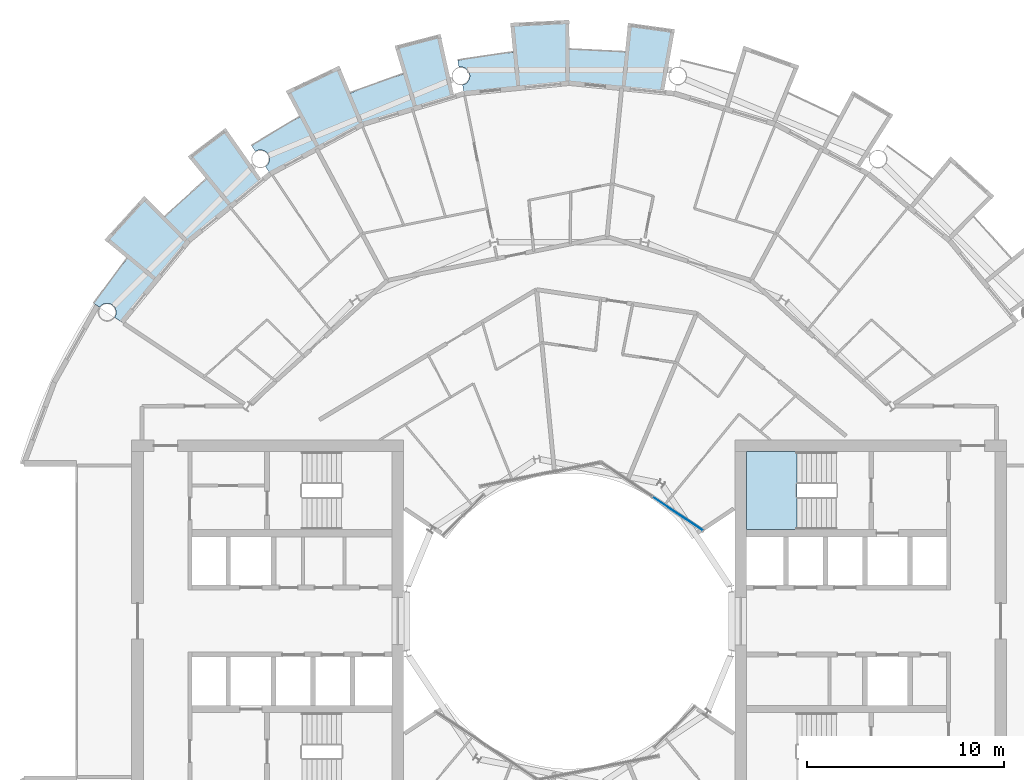
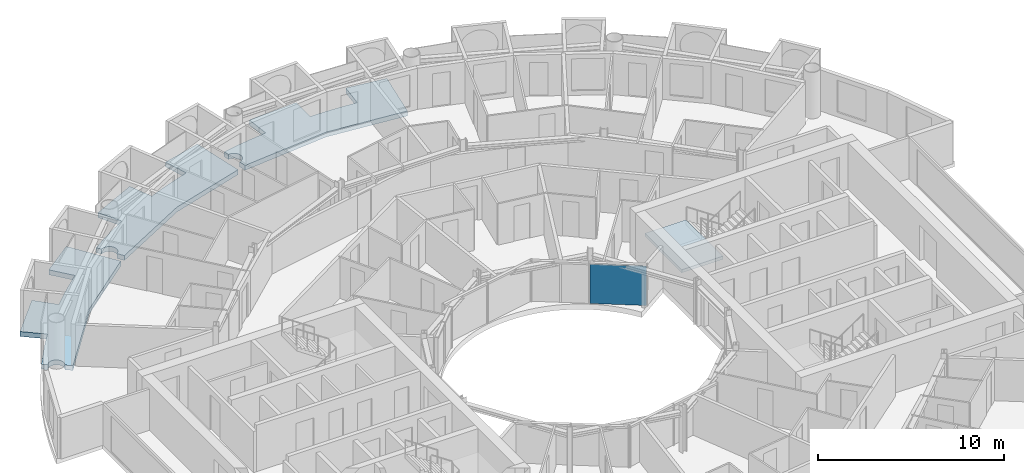
# One storey, part 12 of 28: 4 slabs, 1 plate, 2 elements without a shape of their own.
"""IFC4 building model written with IfcOpenShell, lengths in metres."""

import ifcopenshell
import ifcopenshell.guid

model = None  # the IFC model being written
_history = None  # IfcOwnerHistory: only IFC2X3 demands one
_inside = {}  # id of a spatial element -> (the spatial element, [elements in it])
_under = {}  # id of a project, library or spatial element -> (it, [spatial elements below it])
_declared = {}  # id of a project -> (the project, [libraries it declares])
_typed = {}  # id of a type object -> (the type object, [elements of that type])
_made_of = {}  # id of a material, layer set ... -> (it, [elements and type objects made of it])


def new_model(schema):
    """Start an empty IFC model of exactly this schema.

    Asked for "IFC4X3", IfcOpenShell would pick the latest addendum, in which some entities
    have other attributes; the version numbers below select the first issue.
    IFC2X3 requires an IfcOwnerHistory on every rooted entity: one is made here for all.
    """
    global model, _history
    if schema == "IFC4X3":
        model = ifcopenshell.file(schema_version=(4, 3, 0, 0))
    else:
        model = ifcopenshell.file(schema=schema)
    _inside.clear()
    _under.clear()
    _declared.clear()
    _typed.clear()
    _made_of.clear()
    _history = None
    if model.schema == "IFC2X3":
        org = make("IfcOrganization", Name="unknown")
        user = make(
            "IfcPersonAndOrganization",
            ThePerson=make("IfcPerson", FamilyName="unknown"),
            TheOrganization=org,
        )
        app = make(
            "IfcApplication",
            ApplicationDeveloper=org,
            Version="unknown",
            ApplicationFullName="unknown",
            ApplicationIdentifier="unknown",
        )
        _history = make(
            "IfcOwnerHistory",
            OwningUser=user,
            OwningApplication=app,
            ChangeAction="ADDED",
            CreationDate=0,
        )
    return model


def make(cls, **values):
    """One entity of the class cls with the attributes given. An attribute that is None is left unset."""
    return model.create_entity(
        cls, **{name: value for name, value in values.items() if value is not None}
    )


def rooted(cls, **values):
    """An entity with a GlobalId (a new one), such as an element, a storey or a relation."""
    return make(cls, GlobalId=ifcopenshell.guid.new(), OwnerHistory=_history, **values)


def si_unit(unit_type, name, prefix=None):
    """IfcSIUnit, for example si_unit("LENGTHUNIT", "METRE", prefix="MILLI")."""
    return make("IfcSIUnit", UnitType=unit_type, Prefix=prefix, Name=name)


def assignment(units):
    """IfcUnitAssignment: the units of a project."""
    return None if units is None else make("IfcUnitAssignment", Units=units)


def point(xyz):
    """IfcCartesianPoint."""
    return None if xyz is None else make("IfcCartesianPoint", Coordinates=xyz)


def direction(xyz):
    """IfcDirection."""
    return None if xyz is None else make("IfcDirection", DirectionRatios=xyz)


def frame(location, z_axis=None, x_axis=None):
    """IfcAxis2Placement3D, a coordinate frame: its origin and axes. An axis left out is left unset."""
    return make(
        "IfcAxis2Placement3D",
        Location=point(location),
        Axis=direction(z_axis),
        RefDirection=direction(x_axis),
    )


def frame_2d(location, x_axis=None):
    """IfcAxis2Placement2D, a coordinate frame in the plane: its origin and x axis."""
    return make(
        "IfcAxis2Placement2D", Location=point(location), RefDirection=direction(x_axis)
    )


def origin():
    """The frame at (0, 0, 0) with its axes left unset."""
    return frame((0.0, 0.0, 0.0))


def origin_2d():
    """The frame at (0, 0) in the plane with its x axis left unset."""
    return frame_2d((0.0, 0.0))


def place(relative_to, where):
    """IfcLocalPlacement: puts the frame where relative to a parent placement (None: the world)."""
    return make(
        "IfcLocalPlacement", PlacementRelTo=relative_to, RelativePlacement=where
    )


def context(
    kind, dimensions, precision=None, world=None, true_north=None, identifier=None
):
    """IfcGeometricRepresentationContext, for example the 3D "Model" context."""
    return make(
        "IfcGeometricRepresentationContext",
        ContextIdentifier=identifier,
        ContextType=kind,
        CoordinateSpaceDimension=dimensions,
        Precision=precision,
        WorldCoordinateSystem=world,
        TrueNorth=true_north,
    )


def subcontext(parent, identifier, kind, view, scale=None):
    """IfcGeometricRepresentationSubContext, for example "Body" below "Model"."""
    return make(
        "IfcGeometricRepresentationSubContext",
        ContextIdentifier=identifier,
        ContextType=kind,
        ParentContext=parent,
        TargetScale=scale,
        TargetView=view,
    )


def project(units=None, contexts=None):
    """IfcProject with its units and contexts."""
    return rooted(
        "IfcProject",
        Name="project",
        RepresentationContexts=contexts,
        UnitsInContext=assignment(units),
    )


def spatial(cls, under=None, at=None, **own):
    """A site, building, storey or space (cls), placed at a placement, below another one or the project."""
    s = rooted(cls, ObjectPlacement=at, **own)
    if under is not None:
        _under.setdefault(under.id(), (under, []))[1].append(s)
    return s


def polyline(points):
    """IfcPolyline through the points."""
    return make("IfcPolyline", Points=[point(p) for p in points])


def profile(cls, at=None, kind="AREA", **sizes):
    """A parametric profile (cls). Its sizes go by their IFC names, for example OverallWidth=200.0."""
    return make(cls, ProfileType=kind, Position=at, **sizes)


def rectangle(**sizes):
    """IfcRectangleProfileDef."""
    return profile("IfcRectangleProfileDef", **sizes)


def outline(outer, holes=None, kind="AREA"):
    """IfcArbitraryClosedProfileDef: a profile drawn as a closed curve; with holes, ...WithVoids."""
    if holes is None:
        return make("IfcArbitraryClosedProfileDef", ProfileType=kind, OuterCurve=outer)
    return make(
        "IfcArbitraryProfileDefWithVoids",
        ProfileType=kind,
        OuterCurve=outer,
        InnerCurves=holes,
    )


def extrude(swept, where, along, depth):
    """IfcExtrudedAreaSolid: the profile swept, set in the frame where, extruded along a direction by depth."""
    return make(
        "IfcExtrudedAreaSolid",
        SweptArea=swept,
        Position=where,
        ExtrudedDirection=direction(along),
        Depth=depth,
    )


def shape(context_of_items, identifier, shape_type, items):
    """IfcShapeRepresentation: the items that make up one representation, for example the "Body"."""
    return make(
        "IfcShapeRepresentation",
        ContextOfItems=context_of_items,
        RepresentationIdentifier=identifier,
        RepresentationType=shape_type,
        Items=items,
    )


def material(Name=None, Category=None):
    """IfcMaterial."""
    return make("IfcMaterial", Name=Name, Category=Category)


def layer(
    of_material, thickness, ventilated=None, Name=None, Category=None, Priority=None
):
    """IfcMaterialLayer: one layer of a wall or slab, of a material (None: an air gap)."""
    return make(
        "IfcMaterialLayer",
        Material=of_material,
        LayerThickness=thickness,
        IsVentilated=ventilated,
        Name=Name,
        Category=Category,
        Priority=Priority,
    )


def layer_set(layers, Name=None):
    """IfcMaterialLayerSet."""
    return make("IfcMaterialLayerSet", MaterialLayers=layers, LayerSetName=Name)


def made_of(thing, what):
    """Note that an element or type object is made of a material, layer set ...; save() writes the relation."""
    if what is not None:
        _made_of.setdefault(what.id(), (what, []))[1].append(thing)
    return thing


def type_object(cls, material=None, **own):
    """A type object (cls), such as IfcWallType, which elements share."""
    return made_of(rooted(cls, **own), material)


def element(
    cls,
    number,
    at=None,
    inside=None,
    cuts=None,
    type_object=None,
    material=None,
    context=None,
    identifier="Body",
    shape_type=None,
    held_by="IfcProductDefinitionShape",
    body=None,
    shapes=None,
    **own,
):
    """One element of the class cls, such as IfcWall. Its Tag is "e" and its number.

    at: its placement. inside: the storey or other place that contains it. cuts: it is an
    opening in that element (IfcRelVoidsElement). A single representation is given by context,
    identifier, shape_type and body (its items); several are given by shapes. held_by: the class
    of the entity that holds the representations. save() writes the other relations.
    """
    e = rooted(cls, Tag="e%d" % number, ObjectPlacement=at, **own)
    if body is not None:
        shapes = [shape(context, identifier, shape_type, body)]
    if shapes is not None:
        e.Representation = make(held_by, Representations=shapes)
    if inside is not None:
        _inside.setdefault(inside.id(), (inside, []))[1].append(e)
    if cuts is not None:
        rooted(
            "IfcRelVoidsElement", RelatingBuildingElement=cuts, RelatedOpeningElement=e
        )
    if type_object is not None:
        _typed.setdefault(type_object.id(), (type_object, []))[1].append(e)
    return made_of(e, material)


def aggregate(whole, parts):
    """IfcRelAggregates: a whole, such as a stair, and the parts it consists of."""
    return rooted("IfcRelAggregates", RelatingObject=whole, RelatedObjects=parts)


def save(model, path):
    """Write the relations noted so far, then the file.

    IfcRelAggregates (storeys below a building ...), IfcRelContainedInSpatialStructure (elements
    in a storey), IfcRelDefinesByType, IfcRelAssociatesMaterial and IfcRelDeclares: one each for
    every whole, place, type object, material and project.
    """
    for whole, parts in _under.values():
        aggregate(whole, parts)
    for where, things in _inside.values():
        rooted(
            "IfcRelContainedInSpatialStructure",
            RelatedElements=things,
            RelatingStructure=where,
        )
    for kind, things in _typed.values():
        rooted("IfcRelDefinesByType", RelatedObjects=things, RelatingType=kind)
    for what, things in _made_of.values():
        rooted("IfcRelAssociatesMaterial", RelatedObjects=things, RelatingMaterial=what)
    for by, libraries in _declared.values():
        rooted("IfcRelDeclares", RelatingContext=by, RelatedDefinitions=libraries)
    model.write(path)


model = new_model("IFC4")

# Units and contexts
model_context = context("Model", 3, precision=1e-05, world=origin(), true_north=direction((0.0, 1.0)))
body_context = subcontext(model_context, "Body", "Model", "MODEL_VIEW")
ifc_project = project(units=[si_unit("LENGTHUNIT", "METRE"), si_unit("AREAUNIT", "SQUARE_METRE"), si_unit("VOLUMEUNIT", "CUBIC_METRE"), si_unit("PLANEANGLEUNIT", "RADIAN"), si_unit("MASSUNIT", "GRAM", prefix="KILO")], contexts=[model_context])

# Site, building, storey
site_placement = place(None, origin())
site = spatial("IfcSite", under=ifc_project, at=site_placement, CompositionType="ELEMENT")
building_placement = place(site_placement, origin())
building = spatial("IfcBuilding", under=site, at=building_placement, Name="Maasbend Ring Residences", CompositionType="ELEMENT")
storey_placement = place(building_placement, frame((0.0, 0.0, 129.949951171875)))
storey = spatial("IfcBuildingStorey", under=building, at=storey_placement, Name="L37", CompositionType="ELEMENT", Elevation=129.949951171875)

# Stair, slab
ifc_material_1 = material(Name="Concrete C40/50", Category="concrete")
stair_type = type_object("IfcStairType", Name="CORE STAIR 18 RISERS", PredefinedType="HALF_TURN_STAIR", material=ifc_material_1)
stair_placement = place(storey_placement, origin())
stair = element("IfcStair", 1, at=stair_placement, inside=storey, type_object=stair_type, Name="L37 Exit stair ST-E1", PredefinedType="HALF_TURN_STAIR")
ifc_material_2 = material(Name="Concrete C40/50", Category="concrete")
ifc_layer_1 = layer(ifc_material_2, 0.199951171875)
ifc_layer_set_1 = layer_set([ifc_layer_1], Name="Concrete C40/50")
slab_type_1 = type_object("IfcSlabType", Name="CORE STAIR LANDING 200", PredefinedType="LANDING", material=ifc_layer_set_1)
slab_1_placement = place(storey_placement, frame((0.0, 0.0, 1.324951171875)))
slab_1 = element("IfcSlab", 2, at=slab_1_placement, type_object=slab_type_1, Name="ST-E1 landing 1", PredefinedType="LANDING", context=body_context, shape_type="SweptSolid", body=[
    extrude(outline(polyline([(11.550048828125, 8.60009765625), (9.0, 8.60009765625), (9.0, 4.64990234375), (11.550048828125, 4.64990234375), (11.550048828125, 8.60009765625)])), origin(), (0.0, 0.0, 1.0), 0.2001953125),
])
aggregate(stair, [slab_1])

# Curtain wall, plate
ifc_material_3 = material(Name="Aluminium and clear glass", Category="aluminium")
ifc_layer_2 = layer(ifc_material_3, 0.179931640625)
ifc_layer_set_2 = layer_set([ifc_layer_2], Name="CW-W")
curtain_wall_type = type_object("IfcCurtainWallType", Name="CW-W", PredefinedType="NOTDEFINED", material=ifc_layer_set_2)
curtain_wall_placement = place(storey_placement, origin())
curtain_wall = element("IfcCurtainWall", 3, at=curtain_wall_placement, inside=storey, type_object=curtain_wall_type, Name="Well curtain wall N1", PredefinedType="NOTDEFINED")
ifc_material_4 = material(Name="Glass clear laminated", Category="glass")
ifc_layer_3 = layer(ifc_material_4, 0.031982421875)
ifc_layer_set_3 = layer_set([ifc_layer_3], Name="CWP-W")
plate_type = type_object("IfcPlateType", Name="CWP-W", PredefinedType="CURTAIN_PANEL", material=ifc_layer_set_3)
plate_placement = place(storey_placement, frame((5.51123046875, 5.44580078125, 0.0), z_axis=(0.0, 0.0, 1.0), x_axis=(-0.831469612303, 0.55557023302, 0.0)))
plate = element("IfcPlate", 4, at=plate_placement, type_object=plate_type, Name="Glass panel well face", PredefinedType="CURTAIN_PANEL", context=body_context, shape_type="SweptSolid", body=[
    extrude(rectangle(XDim=3.053955078125, YDim=0.031982421875, at=origin_2d()), origin(), (0.0, 0.0, 1.0), 2.580078125),
])
aggregate(curtain_wall, [plate])

# Slabs
ifc_material_5 = material(Name="Concrete C40/50", Category="concrete")
ifc_layer_4 = layer(ifc_material_5, 0.199951171875)
ifc_layer_set_4 = layer_set([ifc_layer_4], Name="Concrete C40/50")
slab_type_2 = type_object("IfcSlabType", Name="SL-LOGGIA", PredefinedType="FLOOR", material=ifc_layer_set_4)
slab_2_placement = place(storey_placement, frame((0.0, 0.0, -0.349853515625)))
element("IfcSlab", 5, at=slab_2_placement, inside=storey, type_object=slab_type_2, Name="Loggia floor 1", PredefinedType="FLOOR", context=body_context, shape_type="SweptSolid", body=[
    extrude(outline(polyline([(-14.5, 25.114990234375), (-13.6708984375, 25.574951171875), (-13.6708984375, 25.575927734375), (-13.6708984375, 25.575927734375), (-13.6708984375, 25.575927734375), (-13.6708984375, 25.575927734375), (-13.6708984375, 25.575927734375), (-13.6708984375, 25.575927734375), (-13.6708984375, 25.575927734375), (-13.6708984375, 25.575927734375), (-13.6708984375, 25.575927734375), (-13.6708984375, 25.575927734375), (-13.6708984375, 25.575927734375), (-13.6708984375, 25.575927734375), (-13.6708984375, 25.575927734375), (-13.6708984375, 25.575927734375), (-13.6708984375, 25.575927734375), (-13.6708984375, 25.575927734375), (-14.3779296875, 26.89892578125), (-14.3779296875, 26.89892578125), (-14.3779296875, 26.89892578125), (-11.672119140625, 28.177978515625), (-11.672119140625, 28.177978515625), (-11.672119140625, 28.177978515625), (-11.097900390625, 26.79296875), (-11.097900390625, 26.79296875), (-11.097900390625, 26.79296875), (-11.097900390625, 26.79296875), (-11.097900390625, 26.79296875), (-11.097900390625, 26.79296875), (-11.097900390625, 26.79296875), (-11.097900390625, 26.79296875), (-11.097900390625, 26.79296875), (-11.097900390625, 26.79296875), (-11.097900390625, 26.79296875), (-11.097900390625, 26.79296875), (-11.097900390625, 26.79296875), (-11.097900390625, 26.79296875), (-11.096923828125, 26.79296875), (-11.096923828125, 26.79296875), (-11.096923828125, 26.79296875), (-10.215087890625, 27.14111328125), (-10.215087890625, 27.14111328125), (-9.322021484375, 27.4609375), (-9.322021484375, 27.4609375), (-8.4189453125, 27.7509765625), (-8.4189453125, 27.7509765625), (-8.4189453125, 27.7509765625), (-8.4189453125, 27.7509765625), (-8.4189453125, 27.7509765625), (-8.4189453125, 27.7509765625), (-8.41796875, 27.7509765625), (-8.41796875, 27.7509765625), (-8.41796875, 27.7509765625), (-8.41796875, 27.7509765625), (-8.41796875, 27.7509765625), (-8.41796875, 27.751953125), (-8.41796875, 27.751953125), (-8.41796875, 27.751953125), (-8.41796875, 27.751953125), (-8.41796875, 27.751953125), (-8.41796875, 27.751953125), (-8.85400390625, 29.18701171875), (-8.85400390625, 29.18701171875), (-8.85400390625, 29.18701171875), (-6.5400390625, 29.791015625), (-6.5400390625, 29.791015625), (-6.5400390625, 29.791015625), (-5.843994140625, 26.617919921875), (-5.843994140625, 26.617919921875), (-5.843994140625, 26.617919921875), (-7.886962890625, 25.9990234375), (-10.447021484375, 25.221923828125), (-10.447021484375, 25.221923828125), (-10.447021484375, 25.221923828125), (-12.806884765625, 23.9609375), (-15.1669921875, 22.698974609375), (-15.1669921875, 22.698974609375), (-15.1669921875, 22.698974609375), (-15.4130859375, 23.06689453125), (-15.404052734375, 23.073974609375), (-15.39501953125, 23.080078125), (-15.385986328125, 23.0869140625), (-15.376953125, 23.093994140625), (-15.368896484375, 23.10107421875), (-15.360107421875, 23.10888671875), (-15.35205078125, 23.115966796875), (-15.343994140625, 23.1240234375), (-15.3359375, 23.132080078125), (-15.327880859375, 23.139892578125), (-15.321044921875, 23.14892578125), (-15.31396484375, 23.156982421875), (-15.306884765625, 23.166015625), (-15.300048828125, 23.175048828125), (-15.29296875, 23.18408203125), (-15.287109375, 23.194091796875), (-15.281005859375, 23.202880859375), (-15.27490234375, 23.2119140625), (-15.26904296875, 23.221923828125), (-15.263916015625, 23.23193359375), (-15.259033203125, 23.241943359375), (-15.25390625, 23.251953125), (-15.2490234375, 23.261962890625), (-15.2451171875, 23.27294921875), (-15.240966796875, 23.282958984375), (-15.237060546875, 23.29296875), (-15.23291015625, 23.303955078125), (-15.22998046875, 23.31494140625), (-15.22705078125, 23.325927734375), (-15.22412109375, 23.3359375), (-15.220947265625, 23.346923828125), (-15.218994140625, 23.35791015625), (-15.217041015625, 23.368896484375), (-15.215087890625, 23.3798828125), (-15.214111328125, 23.39111328125), (-15.2119140625, 23.403076171875), (-15.2109375, 23.4140625), (-15.2109375, 23.425048828125), (-15.2099609375, 23.43603515625), (-15.2099609375, 23.447021484375), (-15.2099609375, 23.458984375), (-15.2109375, 23.469970703125), (-15.2109375, 23.48095703125), (-15.2119140625, 23.491943359375), (-15.214111328125, 23.5029296875), (-15.215087890625, 23.513916015625), (-15.217041015625, 23.52587890625), (-15.218994140625, 23.537109375), (-15.220947265625, 23.548095703125), (-15.22412109375, 23.55810546875), (-15.22705078125, 23.569091796875), (-15.22998046875, 23.580078125), (-15.23291015625, 23.591064453125), (-15.237060546875, 23.60107421875), (-15.240966796875, 23.612060546875), (-15.2451171875, 23.6220703125), (-15.2490234375, 23.633056640625), (-15.25390625, 23.64306640625), (-15.259033203125, 23.653076171875), (-15.263916015625, 23.6630859375), (-15.26904296875, 23.673095703125), (-15.27490234375, 23.681884765625), (-15.281005859375, 23.69189453125), (-15.287109375, 23.700927734375), (-15.29296875, 23.7109375), (-15.300048828125, 23.719970703125), (-15.306884765625, 23.72900390625), (-15.31396484375, 23.737060546875), (-15.321044921875, 23.74609375), (-15.327880859375, 23.75390625), (-15.3359375, 23.762939453125), (-15.343994140625, 23.77099609375), (-15.35205078125, 23.778076171875), (-15.360107421875, 23.785888671875), (-15.368896484375, 23.79296875), (-15.376953125, 23.801025390625), (-15.385986328125, 23.80810546875), (-15.39501953125, 23.81396484375), (-15.404052734375, 23.821044921875), (-15.4130859375, 23.826904296875), (-15.423095703125, 23.8330078125), (-15.431884765625, 23.839111328125), (-15.44189453125, 23.844970703125), (-15.451904296875, 23.85009765625), (-15.4619140625, 23.85595703125), (-15.471923828125, 23.861083984375), (-15.48193359375, 23.864990234375), (-15.491943359375, 23.8701171875), (-15.5029296875, 23.8740234375), (-15.512939453125, 23.8779296875), (-15.52392578125, 23.881103515625), (-15.533935546875, 23.885009765625), (-15.544921875, 23.887939453125), (-15.555908203125, 23.89111328125), (-15.56689453125, 23.89306640625), (-15.577880859375, 23.89599609375), (-15.589111328125, 23.89794921875), (-15.60009765625, 23.89892578125), (-15.611083984375, 23.90087890625), (-15.6220703125, 23.902099609375), (-15.633056640625, 23.903076171875), (-15.64501953125, 23.904052734375), (-15.656005859375, 23.904052734375), (-15.6669921875, 23.904052734375), (-15.677978515625, 23.904052734375), (-15.68994140625, 23.904052734375), (-15.700927734375, 23.903076171875), (-15.7119140625, 23.902099609375), (-15.722900390625, 23.90087890625), (-15.73388671875, 23.89892578125), (-15.7451171875, 23.89794921875), (-15.756103515625, 23.89599609375), (-15.76708984375, 23.89306640625), (-15.778076171875, 23.89111328125), (-15.7890625, 23.887939453125), (-15.800048828125, 23.885009765625), (-15.81005859375, 23.881103515625), (-15.821044921875, 23.8779296875), (-15.83203125, 23.8740234375), (-15.842041015625, 23.8701171875), (-15.85205078125, 23.864990234375), (-15.862060546875, 23.861083984375), (-15.873046875, 23.85595703125), (-15.883056640625, 23.85009765625), (-15.89208984375, 23.844970703125), (-15.902099609375, 23.839111328125), (-15.912109375, 23.8330078125), (-15.9208984375, 23.826904296875), (-16.112060546875, 24.113037109375), (-16.112060546875, 24.113037109375), (-16.112060546875, 24.113037109375), (-15.31396484375, 24.626953125), (-15.31396484375, 24.626953125), (-14.5, 25.114990234375), (-14.5, 25.114990234375)])), origin(), (0.0, 0.0, 1.0), 0.31982421875),
])
slab_3_placement = place(storey_placement, frame((0.0, 0.0, -0.349853515625)))
element("IfcSlab", 6, at=slab_3_placement, inside=storey, type_object=slab_type_2, Name="Loggia floor 3", PredefinedType="FLOOR", context=body_context, shape_type="SweptSolid", body=[
    extrude(outline(polyline([(-3.784912109375, 28.751953125), (-2.843017578125, 28.860107421875), (-2.843017578125, 28.860107421875), (-2.843017578125, 28.860107421875), (-2.843017578125, 28.860107421875), (-2.843017578125, 28.860107421875), (-2.843017578125, 28.860107421875), (-2.843017578125, 28.860107421875), (-2.843017578125, 28.860107421875), (-2.843017578125, 28.860107421875), (-2.843017578125, 28.861083984375), (-2.843017578125, 28.861083984375), (-2.843017578125, 28.861083984375), (-2.843017578125, 28.861083984375), (-2.843017578125, 28.861083984375), (-2.843017578125, 28.861083984375), (-2.843017578125, 28.861083984375), (-2.843017578125, 28.861083984375), (-2.989990234375, 30.35302734375), (-2.989990234375, 30.35302734375), (-2.989990234375, 30.35302734375), (0.0, 30.5), (0.0, 30.5), (0.0, 30.5), (0.0, 29.0), (0.0, 29.0), (0.0, 29.0), (0.0, 29.0), (0.0, 29.0), (0.0, 29.0), (0.0, 29.0), (0.0, 29.0), (0.0, 29.0), (0.0, 29.0), (0.0, 29.0), (0.0, 29.0), (0.0, 29.0), (0.0, 29.0), (0.0, 29.0), (0.0, 29.0), (0.0, 29.0), (0.948974609375, 28.98388671875), (0.948974609375, 28.98388671875), (1.89697265625, 28.93798828125), (1.89697265625, 28.93798828125), (2.842041015625, 28.860107421875), (2.842041015625, 28.860107421875), (2.842041015625, 28.860107421875), (2.842041015625, 28.860107421875), (2.842041015625, 28.860107421875), (2.842041015625, 28.860107421875), (2.842041015625, 28.860107421875), (2.842041015625, 28.860107421875), (2.842041015625, 28.861083984375), (2.842041015625, 28.861083984375), (2.842041015625, 28.861083984375), (2.842041015625, 28.861083984375), (2.842041015625, 28.861083984375), (2.843017578125, 28.861083984375), (2.843017578125, 28.861083984375), (2.843017578125, 28.861083984375), (2.843017578125, 28.861083984375), (2.989990234375, 30.35302734375), (2.989990234375, 30.35302734375), (2.989990234375, 30.35302734375), (5.35791015625, 30.02587890625), (5.35791015625, 30.02587890625), (5.35791015625, 30.02587890625), (4.7880859375, 26.827880859375), (4.7880859375, 26.827880859375), (4.7880859375, 26.827880859375), (2.6630859375, 27.0380859375), (0.0, 27.300048828125), (0.0, 27.300048828125), (0.0, 27.300048828125), (-2.6630859375, 27.0380859375), (-5.325927734375, 26.77490234375), (-5.325927734375, 26.77490234375), (-5.325927734375, 26.77490234375), (-5.412109375, 27.2099609375), (-5.412109375, 27.2099609375), (-5.40087890625, 27.2119140625), (-5.389892578125, 27.215087890625), (-5.3798828125, 27.218017578125), (-5.368896484375, 27.220947265625), (-5.35791015625, 27.22412109375), (-5.347900390625, 27.22802734375), (-5.3369140625, 27.23193359375), (-5.326904296875, 27.236083984375), (-5.31591796875, 27.239990234375), (-5.305908203125, 27.2451171875), (-5.2958984375, 27.25), (-5.285888671875, 27.2548828125), (-5.27587890625, 27.260009765625), (-5.26708984375, 27.26611328125), (-5.257080078125, 27.27197265625), (-5.248046875, 27.278076171875), (-5.238037109375, 27.283935546875), (-5.22900390625, 27.291015625), (-5.219970703125, 27.298095703125), (-5.2119140625, 27.304931640625), (-5.202880859375, 27.31201171875), (-5.195068359375, 27.319091796875), (-5.18603515625, 27.326904296875), (-5.177978515625, 27.3349609375), (-5.1708984375, 27.343017578125), (-5.1630859375, 27.35107421875), (-5.155029296875, 27.360107421875), (-5.14794921875, 27.367919921875), (-5.14111328125, 27.376953125), (-5.134033203125, 27.385986328125), (-5.1279296875, 27.39501953125), (-5.1220703125, 27.404052734375), (-5.114990234375, 27.4140625), (-5.110107421875, 27.423095703125), (-5.10400390625, 27.43310546875), (-5.097900390625, 27.443115234375), (-5.093017578125, 27.452880859375), (-5.087890625, 27.462890625), (-5.083984375, 27.472900390625), (-5.0791015625, 27.48291015625), (-5.074951171875, 27.493896484375), (-5.071044921875, 27.50390625), (-5.068115234375, 27.514892578125), (-5.06396484375, 27.52490234375), (-5.06103515625, 27.535888671875), (-5.05810546875, 27.547119140625), (-5.055908203125, 27.55810546875), (-5.052978515625, 27.569091796875), (-5.051025390625, 27.580078125), (-5.049072265625, 27.591064453125), (-5.048095703125, 27.60205078125), (-5.047119140625, 27.613037109375), (-5.0458984375, 27.6240234375), (-5.044921875, 27.635986328125), (-5.044921875, 27.64697265625), (-5.044921875, 27.657958984375), (-5.044921875, 27.6689453125), (-5.044921875, 27.680908203125), (-5.0458984375, 27.69189453125), (-5.047119140625, 27.702880859375), (-5.048095703125, 27.714111328125), (-5.049072265625, 27.72509765625), (-5.051025390625, 27.736083984375), (-5.052978515625, 27.7470703125), (-5.055908203125, 27.758056640625), (-5.05810546875, 27.76904296875), (-5.06103515625, 27.780029296875), (-5.06396484375, 27.791015625), (-5.068115234375, 27.801025390625), (-5.071044921875, 27.81201171875), (-5.074951171875, 27.822998046875), (-5.0791015625, 27.8330078125), (-5.083984375, 27.843017578125), (-5.087890625, 27.85302734375), (-5.093017578125, 27.864013671875), (-5.097900390625, 27.8740234375), (-5.10400390625, 27.883056640625), (-5.110107421875, 27.89306640625), (-5.114990234375, 27.903076171875), (-5.1220703125, 27.912109375), (-5.1279296875, 27.9208984375), (-5.134033203125, 27.929931640625), (-5.14111328125, 27.93896484375), (-5.14794921875, 27.947998046875), (-5.155029296875, 27.95703125), (-5.1630859375, 27.965087890625), (-5.1708984375, 27.972900390625), (-5.177978515625, 27.98095703125), (-5.18603515625, 27.989013671875), (-5.195068359375, 27.9970703125), (-5.202880859375, 28.00390625), (-5.2119140625, 28.010986328125), (-5.219970703125, 28.01806640625), (-5.22900390625, 28.02490234375), (-5.238037109375, 28.031982421875), (-5.248046875, 28.0380859375), (-5.257080078125, 28.0439453125), (-5.26708984375, 28.050048828125), (-5.27587890625, 28.055908203125), (-5.285888671875, 28.06103515625), (-5.2958984375, 28.06591796875), (-5.305908203125, 28.071044921875), (-5.31591796875, 28.075927734375), (-5.326904296875, 28.080078125), (-5.3369140625, 28.083984375), (-5.347900390625, 28.087890625), (-5.35791015625, 28.092041015625), (-5.368896484375, 28.094970703125), (-5.3798828125, 28.09912109375), (-5.389892578125, 28.10107421875), (-5.40087890625, 28.10400390625), (-5.412109375, 28.10595703125), (-5.423095703125, 28.10791015625), (-5.43408203125, 28.110107421875), (-5.446044921875, 28.112060546875), (-5.45703125, 28.113037109375), (-5.468017578125, 28.114013671875), (-5.47900390625, 28.114990234375), (-5.489990234375, 28.114990234375), (-5.501953125, 28.114990234375), (-5.512939453125, 28.114990234375), (-5.52392578125, 28.114990234375), (-5.534912109375, 28.114013671875), (-5.5458984375, 28.113037109375), (-5.556884765625, 28.112060546875), (-5.569091796875, 28.110107421875), (-5.580078125, 28.10791015625), (-5.591064453125, 28.10595703125), (-5.591064453125, 28.10595703125), (-5.657958984375, 28.443115234375), (-5.657958984375, 28.443115234375), (-5.657958984375, 28.443115234375), (-4.72412109375, 28.613037109375), (-4.72412109375, 28.613037109375), (-3.784912109375, 28.751953125), (-3.784912109375, 28.751953125)])), origin(), (0.0, 0.0, 1.0), 0.31982421875),
])
slab_4_placement = place(storey_placement, frame((0.0, 0.0, -0.349853515625)))
element("IfcSlab", 7, at=slab_4_placement, inside=storey, type_object=slab_type_2, Name="Loggia floor 4", PredefinedType="FLOOR", context=body_context, shape_type="SweptSolid", body=[
    extrude(outline(polyline([(-23.007080078125, 17.654052734375), (-22.41796875, 18.39697265625), (-22.41796875, 18.39697265625), (-22.41796875, 18.39697265625), (-22.41796875, 18.39697265625), (-22.41796875, 18.39697265625), (-22.41796875, 18.39697265625), (-22.41796875, 18.39697265625), (-22.41796875, 18.39697265625), (-22.41796875, 18.39697265625), (-22.41796875, 18.39697265625), (-22.41796875, 18.39697265625), (-22.41796875, 18.39794921875), (-22.41796875, 18.39794921875), (-22.41796875, 18.39794921875), (-22.41796875, 18.39794921875), (-22.41796875, 18.39794921875), (-22.41796875, 18.39794921875), (-23.576904296875, 19.34912109375), (-23.576904296875, 19.34912109375), (-23.576904296875, 19.34912109375), (-21.56689453125, 21.56689453125), (-21.56689453125, 21.56689453125), (-21.56689453125, 21.56689453125), (-20.506103515625, 20.506103515625), (-20.506103515625, 20.506103515625), (-20.506103515625, 20.506103515625), (-20.506103515625, 20.506103515625), (-20.506103515625, 20.506103515625), (-20.506103515625, 20.506103515625), (-20.506103515625, 20.506103515625), (-20.506103515625, 20.506103515625), (-20.506103515625, 20.506103515625), (-20.506103515625, 20.506103515625), (-20.506103515625, 20.506103515625), (-20.506103515625, 20.506103515625), (-20.506103515625, 20.506103515625), (-20.506103515625, 20.506103515625), (-20.506103515625, 20.506103515625), (-20.506103515625, 20.506103515625), (-20.506103515625, 20.506103515625), (-19.823974609375, 21.166015625), (-19.823974609375, 21.166015625), (-19.12109375, 21.802978515625), (-19.12109375, 21.802978515625), (-18.39794921875, 22.4169921875), (-18.39794921875, 22.4169921875), (-18.39794921875, 22.4169921875), (-18.39794921875, 22.4169921875), (-18.39794921875, 22.4169921875), (-18.39794921875, 22.4169921875), (-18.39794921875, 22.4169921875), (-18.39794921875, 22.4169921875), (-18.39794921875, 22.4169921875), (-18.39794921875, 22.4169921875), (-18.39794921875, 22.4169921875), (-18.39794921875, 22.4169921875), (-18.39794921875, 22.41796875), (-18.39794921875, 22.41796875), (-18.39794921875, 22.41796875), (-18.39794921875, 22.41796875), (-18.39794921875, 22.41796875), (-19.34912109375, 23.576904296875), (-19.34912109375, 23.576904296875), (-19.34912109375, 23.576904296875), (-17.44189453125, 25.02001953125), (-17.44189453125, 25.02001953125), (-17.44189453125, 25.02001953125), (-15.5849609375, 22.35595703125), (-15.5849609375, 22.35595703125), (-15.5849609375, 22.35595703125), (-17.236083984375, 21.001953125), (-19.303955078125, 19.303955078125), (-19.303955078125, 19.303955078125), (-19.303955078125, 19.303955078125), (-21.001953125, 17.236083984375), (-22.698974609375, 15.1669921875), (-22.698974609375, 15.1669921875), (-22.698974609375, 15.1669921875), (-23.06689453125, 15.4130859375), (-23.06689453125, 15.4130859375), (-23.06103515625, 15.423095703125), (-23.054931640625, 15.431884765625), (-23.050048828125, 15.44189453125), (-23.0439453125, 15.451904296875), (-23.0390625, 15.4619140625), (-23.033935546875, 15.471923828125), (-23.030029296875, 15.48193359375), (-23.02490234375, 15.491943359375), (-23.02099609375, 15.5029296875), (-23.01708984375, 15.512939453125), (-23.012939453125, 15.52392578125), (-23.010009765625, 15.533935546875), (-23.007080078125, 15.544921875), (-23.00390625, 15.555908203125), (-23.001953125, 15.56689453125), (-22.9990234375, 15.577880859375), (-22.9970703125, 15.589111328125), (-22.9951171875, 15.60009765625), (-22.993896484375, 15.611083984375), (-22.992919921875, 15.6220703125), (-22.991943359375, 15.633056640625), (-22.990966796875, 15.64501953125), (-22.990966796875, 15.656005859375), (-22.989990234375, 15.6669921875), (-22.990966796875, 15.677978515625), (-22.990966796875, 15.68994140625), (-22.991943359375, 15.700927734375), (-22.992919921875, 15.7119140625), (-22.993896484375, 15.722900390625), (-22.9951171875, 15.73388671875), (-22.9970703125, 15.7451171875), (-22.9990234375, 15.756103515625), (-23.001953125, 15.76708984375), (-23.00390625, 15.778076171875), (-23.007080078125, 15.7890625), (-23.010009765625, 15.800048828125), (-23.012939453125, 15.81005859375), (-23.01708984375, 15.821044921875), (-23.02099609375, 15.83203125), (-23.02490234375, 15.842041015625), (-23.030029296875, 15.85205078125), (-23.033935546875, 15.862060546875), (-23.0390625, 15.873046875), (-23.0439453125, 15.883056640625), (-23.050048828125, 15.89208984375), (-23.054931640625, 15.902099609375), (-23.06103515625, 15.912109375), (-23.06689453125, 15.9208984375), (-23.073974609375, 15.929931640625), (-23.080078125, 15.93896484375), (-23.0869140625, 15.947998046875), (-23.093994140625, 15.95703125), (-23.10107421875, 15.966064453125), (-23.10888671875, 15.97412109375), (-23.115966796875, 15.98193359375), (-23.1240234375, 15.989990234375), (-23.132080078125, 15.998046875), (-23.139892578125, 16.006103515625), (-23.14892578125, 16.012939453125), (-23.156982421875, 16.02001953125), (-23.166015625, 16.027099609375), (-23.175048828125, 16.033935546875), (-23.18408203125, 16.041015625), (-23.194091796875, 16.047119140625), (-23.202880859375, 16.052978515625), (-23.2119140625, 16.05908203125), (-23.221923828125, 16.06494140625), (-23.23193359375, 16.070068359375), (-23.241943359375, 16.074951171875), (-23.251953125, 16.080078125), (-23.261962890625, 16.0849609375), (-23.27294921875, 16.089111328125), (-23.282958984375, 16.093017578125), (-23.29296875, 16.096923828125), (-23.303955078125, 16.10107421875), (-23.31494140625, 16.10400390625), (-23.325927734375, 16.10791015625), (-23.3359375, 16.110107421875), (-23.346923828125, 16.113037109375), (-23.35791015625, 16.114990234375), (-23.368896484375, 16.116943359375), (-23.3798828125, 16.118896484375), (-23.39111328125, 16.12109375), (-23.403076171875, 16.1220703125), (-23.4140625, 16.123046875), (-23.425048828125, 16.1240234375), (-23.43603515625, 16.1240234375), (-23.447021484375, 16.1240234375), (-23.458984375, 16.1240234375), (-23.469970703125, 16.1240234375), (-23.48095703125, 16.123046875), (-23.491943359375, 16.1220703125), (-23.5029296875, 16.12109375), (-23.513916015625, 16.118896484375), (-23.52587890625, 16.116943359375), (-23.537109375, 16.114990234375), (-23.548095703125, 16.113037109375), (-23.55810546875, 16.110107421875), (-23.569091796875, 16.10791015625), (-23.580078125, 16.10400390625), (-23.591064453125, 16.10107421875), (-23.60107421875, 16.096923828125), (-23.612060546875, 16.093017578125), (-23.6220703125, 16.089111328125), (-23.633056640625, 16.0849609375), (-23.64306640625, 16.080078125), (-23.653076171875, 16.074951171875), (-23.6630859375, 16.070068359375), (-23.673095703125, 16.06494140625), (-23.681884765625, 16.05908203125), (-23.69189453125, 16.052978515625), (-23.700927734375, 16.047119140625), (-23.7109375, 16.041015625), (-23.719970703125, 16.033935546875), (-23.72900390625, 16.027099609375), (-23.737060546875, 16.02001953125), (-23.74609375, 16.012939453125), (-23.75390625, 16.006103515625), (-23.762939453125, 15.998046875), (-23.77099609375, 15.989990234375), (-23.778076171875, 15.98193359375), (-23.785888671875, 15.97412109375), (-23.79296875, 15.966064453125), (-23.801025390625, 15.95703125), (-23.80810546875, 15.947998046875), (-23.81396484375, 15.93896484375), (-23.821044921875, 15.929931640625), (-23.826904296875, 15.9208984375), (-23.826904296875, 15.9208984375), (-24.113037109375, 16.112060546875), (-24.113037109375, 16.112060546875), (-24.113037109375, 16.112060546875), (-23.572998046875, 16.89208984375), (-23.572998046875, 16.89208984375), (-23.007080078125, 17.654052734375), (-23.007080078125, 17.654052734375)])), origin(), (0.0, 0.0, 1.0), 0.31982421875),
])

save(model, "model.ifc")
